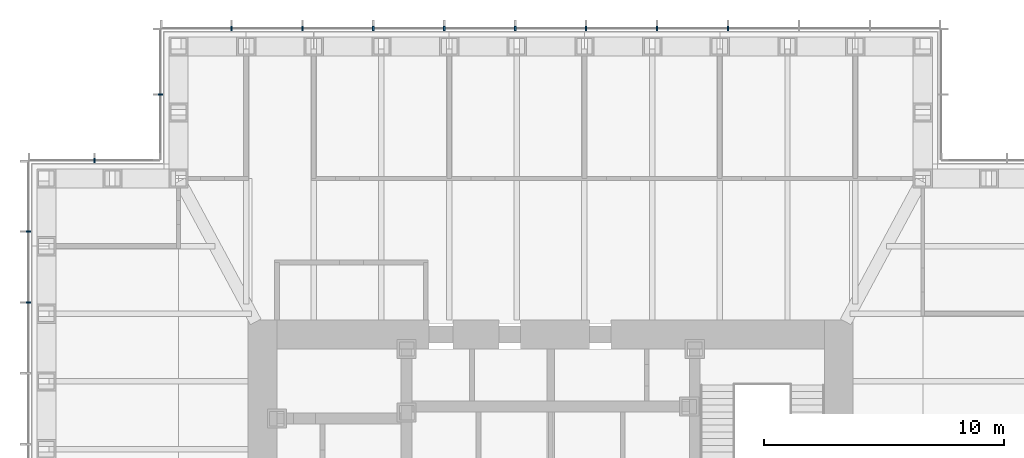
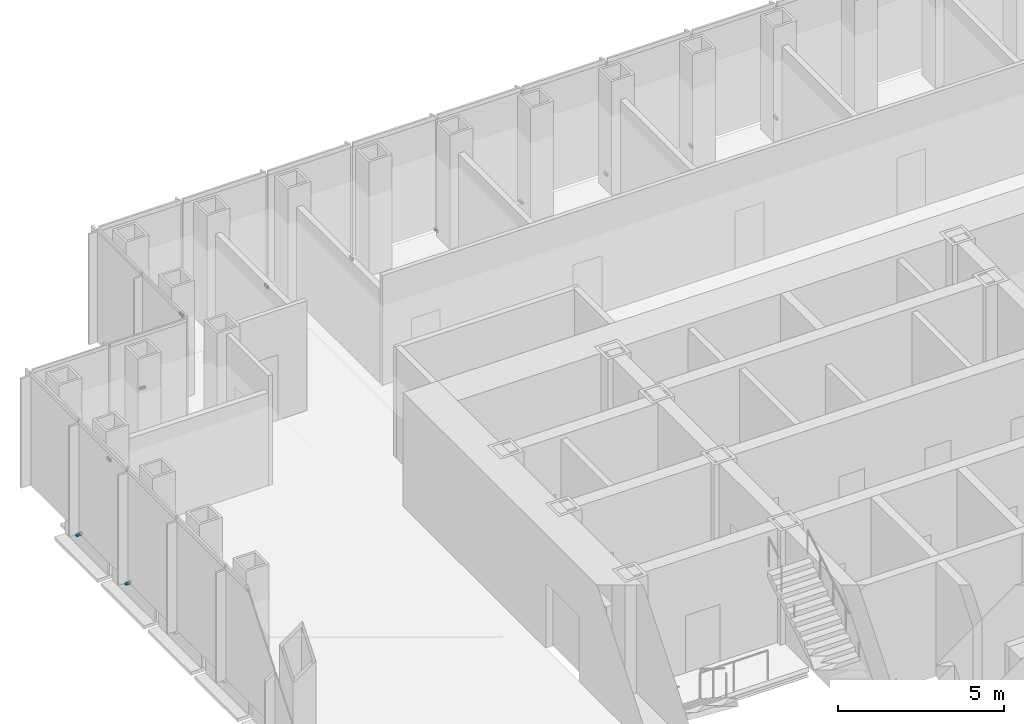
# One storey, part 14 of 16: 12 discrete accessories.
"""IFC4 building model written with IfcOpenShell, lengths in metres."""

from ifc_helpers import new_model, si_unit, direction, frame, origin, origin_2d, place, context, subcontext, project, spatial, rectangle, extrude, element, save


model = new_model("IFC4")

# Units and contexts
model_context = context("Model", 3, precision=1e-05, world=origin(), true_north=direction((0.0, 1.0)))
body_context = subcontext(model_context, "Body", "Model", "MODEL_VIEW")
ifc_project = project(units=[si_unit("LENGTHUNIT", "METRE"), si_unit("AREAUNIT", "SQUARE_METRE"), si_unit("VOLUMEUNIT", "CUBIC_METRE"), si_unit("PLANEANGLEUNIT", "RADIAN"), si_unit("MASSUNIT", "GRAM", prefix="KILO")], contexts=[model_context])

# Site, building, storey
site_placement = place(None, origin())
site = spatial("IfcSite", under=ifc_project, at=site_placement, CompositionType="ELEMENT")
building_placement = place(site_placement, origin())
building = spatial("IfcBuilding", under=site, at=building_placement, Name="Daluyong Arena Tower", CompositionType="ELEMENT")
storey_placement = place(building_placement, frame((0.0, 0.0, 219.10009765625)))
storey = spatial("IfcBuildingStorey", under=building, at=storey_placement, Name="L49", CompositionType="ELEMENT", Elevation=219.10009765625)

# Discrete accessories
for number, where, z_axis, x_axis, name in (
    (1, (63.386474609375, 101.75, -0.10009765625), (0.0, 0.0, 1.0), (-1.0, 0.0, 0.0), "curtain wall L49 N anchor bracket 4"),
    (2, (60.431884765625, 101.75, -0.10009765625), (0.0, 0.0, 1.0), (-1.0, 0.0, 0.0), "curtain wall L49 N anchor bracket 5"),
    (3, (57.477294921875, 101.75, -0.10009765625), (0.0, 0.0, 1.0), (-1.0, 0.0, 0.0), "curtain wall L49 N anchor bracket 6"),
    (4, (54.522705078125, 101.75, -0.10009765625), (0.0, 0.0, 1.0), (-1.0, 0.0, 0.0), "curtain wall L49 N anchor bracket 7"),
    (5, (51.568115234375, 101.75, -0.10009765625), (0.0, 0.0, 1.0), (-1.0, 0.0, 0.0), "curtain wall L49 N anchor bracket 8"),
    (6, (48.613525390625, 101.75, -0.10009765625), (0.0, 0.0, 1.0), (-1.0, 0.0, 0.0), "curtain wall L49 N anchor bracket 9"),
    (7, (45.6591796875, 101.75, -0.10009765625), (0.0, 0.0, 1.0), (-1.0, 0.0, 0.0), "curtain wall L49 N anchor bracket 10"),
    (8, (42.70458984375, 101.75, -0.10009765625), (0.0, 0.0, 1.0), (-1.0, 0.0, 0.0), "curtain wall L49 N anchor bracket 11"),
):
    element("IfcDiscreteAccessory", number, at=place(storey_placement, frame(where, z_axis=z_axis, x_axis=x_axis)), inside=storey, Name=name, PredefinedType="BRACKET", context=body_context, shape_type="SweptSolid", body=[
        extrude(rectangle(XDim=0.070068359375, YDim=0.199951171875, at=origin_2d()), origin(), (0.0, 0.0, 1.0), 0.10009765625),
    ])
for number, where, z_axis, x_axis, name in (
    (9, (39.75, 99.0, -0.10009765625), (0.0, 0.0, 1.0), (0.0, -1.0, 0.0), "curtain wall L49 NW-W anchor bracket 2"),
    (10, (37.0, 96.25, -0.10009765625), (0.0, 0.0, 1.0), (-1.0, 0.0, 0.0), "curtain wall L49 NW-N anchor bracket 2"),
):
    element("IfcDiscreteAccessory", number, at=place(storey_placement, frame(where, z_axis=z_axis, x_axis=x_axis)), inside=storey, Name=name, PredefinedType="BRACKET", context=body_context, shape_type="SweptSolid", body=[
        extrude(rectangle(XDim=0.06005859375, YDim=0.199951171875, at=origin_2d()), origin(), (0.0, 0.0, 1.0), 0.10009765625),
    ])
for number, where, z_axis, x_axis, name in (
    (11, (34.25, 93.29541015625, -0.10009765625), (0.0, 0.0, 1.0), (0.0, -1.0, 0.0), "curtain wall L49 W anchor bracket 2"),
    (12, (34.25, 90.3408203125, -0.10009765625), (0.0, 0.0, 1.0), (0.0, -1.0, 0.0), "curtain wall L49 W anchor bracket 3"),
):
    element("IfcDiscreteAccessory", number, at=place(storey_placement, frame(where, z_axis=z_axis, x_axis=x_axis)), inside=storey, Name=name, PredefinedType="BRACKET", context=body_context, shape_type="SweptSolid", body=[
        extrude(rectangle(XDim=0.070068359375, YDim=0.199951171875, at=origin_2d()), origin(), (0.0, 0.0, 1.0), 0.10009765625),
    ])

save(model, "model.ifc")
